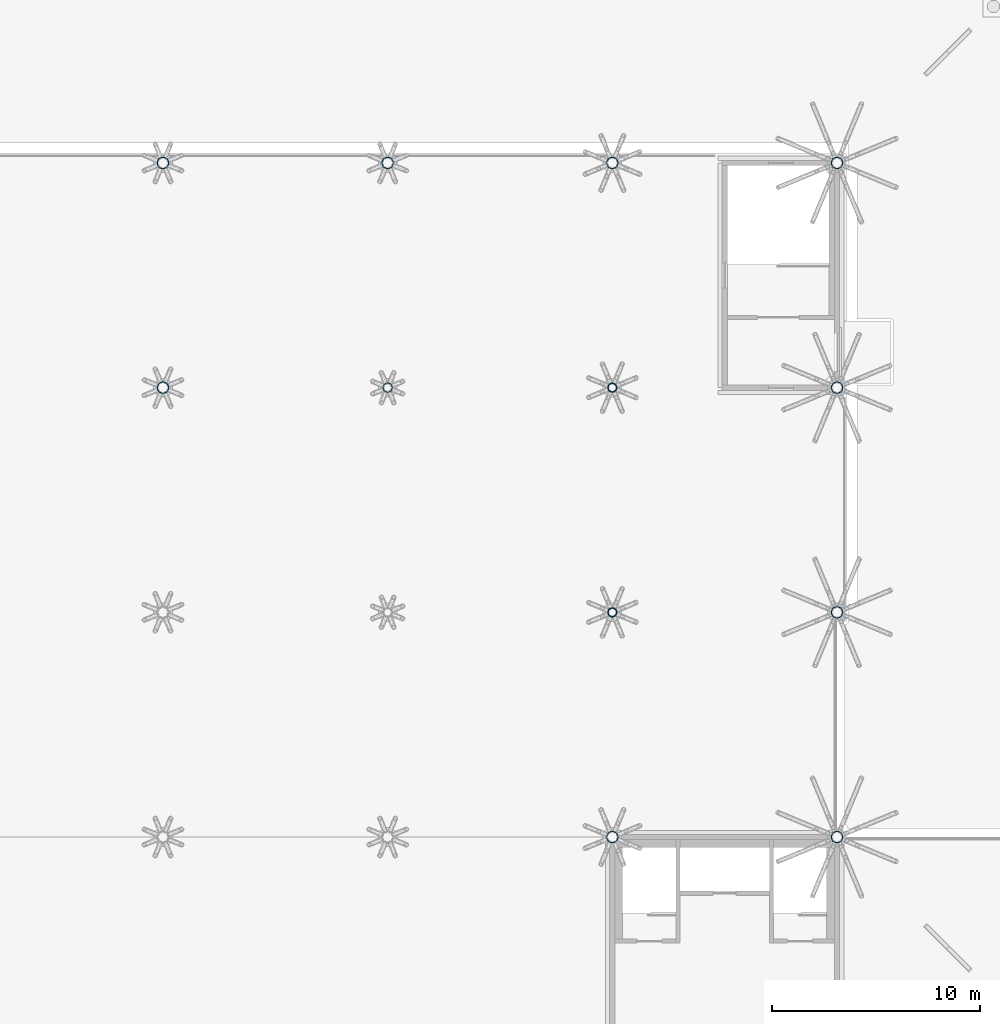
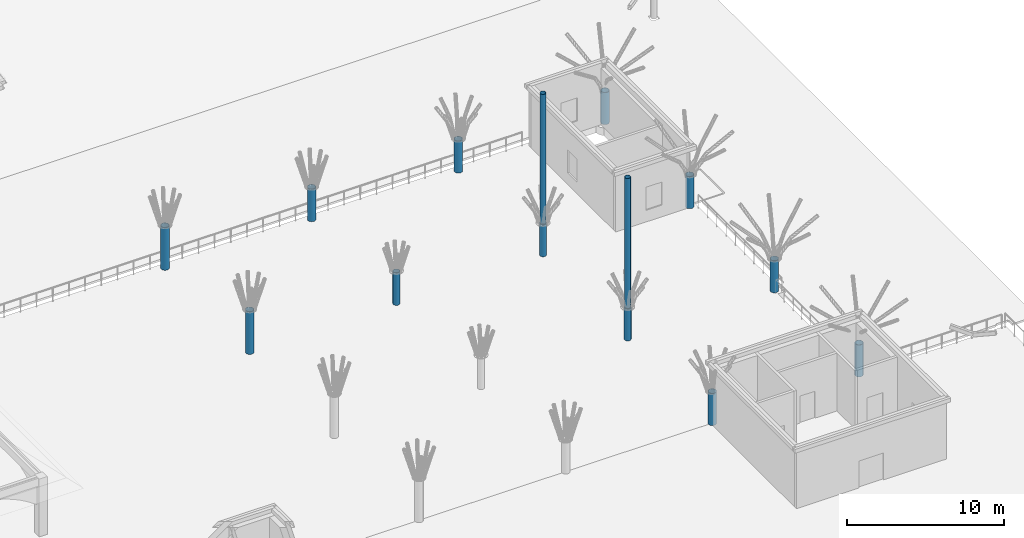
# One storey, part 10 of 91: 14 columns.
"""IFC4 building model written with IfcOpenShell, lengths in metres."""

from ifc_helpers import new_model, si_unit, direction, frame, origin, origin_2d, place, context, subcontext, project, spatial, hollow_circle, extrude, material, material_profile, profile_set, type_object, element, save


model = new_model("IFC4")

# Units and contexts
model_context = context("Model", 3, precision=1e-05, world=origin(), true_north=direction((0.0, 1.0)))
body_context = subcontext(model_context, "Body", "Model", "MODEL_VIEW")
ifc_project = project(units=[si_unit("LENGTHUNIT", "METRE"), si_unit("AREAUNIT", "SQUARE_METRE"), si_unit("VOLUMEUNIT", "CUBIC_METRE"), si_unit("PLANEANGLEUNIT", "RADIAN"), si_unit("MASSUNIT", "GRAM", prefix="KILO")], contexts=[model_context])

# Site, building, storey
site_placement = place(None, origin())
site = spatial("IfcSite", under=ifc_project, at=site_placement, CompositionType="ELEMENT")
building_placement = place(site_placement, origin())
building = spatial("IfcBuilding", under=site, at=building_placement, Name="Magnolia Steps Interchange", CompositionType="ELEMENT")
storey_placement = place(building_placement, origin())
storey = spatial("IfcBuildingStorey", under=building, at=storey_placement, Name="L00", CompositionType="ELEMENT", Elevation=0.0)

# Columns
ifc_material_1 = material(Name="Steel Q355B", Category="steel")
ifc_material_profile_1 = material_profile(ifc_material_1, hollow_circle(Radius=0.202880859375, WallThickness=0.01611328125, at=origin_2d()), Name="CHS406x16")
ifc_profile_set_1 = profile_set([ifc_material_profile_1], Name="Steel Q355B")
column_type_1 = type_object("IfcColumnType", Name="Mast CHS406x16", PredefinedType="COLUMN", material=ifc_profile_set_1)
for number, where, z_axis, x_axis, name in (
    (1, (172.0, 53.199951171875, 2.52001953125), (0.0, 0.0, 1.0), (1.0, 0.0, 0.0), "Mast SP-C-SE"),
    (2, (172.0, 64.0, 2.52001953125), (0.0, 0.0, 1.0), (1.0, 0.0, 0.0), "Mast SP-C-NE"),
):
    element("IfcColumn", number, at=place(storey_placement, frame(where, z_axis=z_axis, x_axis=x_axis)), inside=storey, type_object=column_type_1, Name=name, PredefinedType="COLUMN", context=body_context, shape_type="SweptSolid", body=[
        extrude(hollow_circle(Radius=0.202880859375, WallThickness=0.01611328125, at=origin_2d()), origin(), (0.0, 0.0, 1.0), 10.0986328125),
    ])
ifc_material_2 = material(Name="Steel Q355B", Category="steel")
ifc_material_profile_2 = material_profile(ifc_material_2, hollow_circle(Radius=0.228515625, WallThickness=0.01611328125, at=origin_2d()), Name="CHS457x16")
ifc_profile_set_2 = profile_set([ifc_material_profile_2], Name="Steel Q355B")
column_type_2 = type_object("IfcColumnType", Name="Tree trunk CHS457x16", PredefinedType="COLUMN", material=ifc_profile_set_2)
column_1_placement = place(storey_placement, frame((161.199951171875, 64.0, 0.0), z_axis=(0.0, 0.0, 1.0), x_axis=(1.0, 0.0, 0.0)))
element("IfcColumn", 3, at=column_1_placement, inside=storey, type_object=column_type_2, Name="Tree trunk TC02C", PredefinedType="COLUMN", context=body_context, shape_type="SweptSolid", body=[
    extrude(hollow_circle(Radius=0.228515625, WallThickness=0.01611328125, at=origin_2d()), origin(), (0.0, 0.0, 1.0), 2.53369140625),
])
for number, where, z_axis, x_axis, name in (
    (4, (172.0, 53.199951171875, 0.0), (0.0, 0.0, 1.0), (1.0, 0.0, 0.0), "Tree trunk TC03B"),
    (5, (172.0, 64.0, 0.0), (0.0, 0.0, 1.0), (1.0, 0.0, 0.0), "Tree trunk TC03C"),
):
    element("IfcColumn", number, at=place(storey_placement, frame(where, z_axis=z_axis, x_axis=x_axis)), inside=storey, type_object=column_type_2, Name=name, PredefinedType="COLUMN", context=body_context, shape_type="SweptSolid", body=[
        extrude(hollow_circle(Radius=0.228515625, WallThickness=0.01611328125, at=origin_2d()), origin(), (0.0, 0.0, 1.0), 2.489990234375),
    ])
ifc_material_3 = material(Name="Steel Q355B", Category="steel")
ifc_material_profile_3 = material_profile(ifc_material_3, hollow_circle(Radius=0.279541015625, WallThickness=0.02001953125, at=origin_2d()), Name="CHS559x20")
ifc_profile_set_3 = profile_set([ifc_material_profile_3], Name="Steel Q355B")
column_type_3 = type_object("IfcColumnType", Name="Tree trunk CHS559x20", PredefinedType="COLUMN", material=ifc_profile_set_3)
for number, where, z_axis, x_axis, name in (
    (6, (150.39990234375, 64.0, 0.0), (0.0, 0.0, 1.0), (1.0, 0.0, 0.0), "Tree trunk TC01C"),
    (7, (150.39990234375, 74.800048828125, 0.0), (0.0, 0.0, 1.0), (1.0, 0.0, 0.0), "Tree trunk TC01D"),
):
    element("IfcColumn", number, at=place(storey_placement, frame(where, z_axis=z_axis, x_axis=x_axis)), inside=storey, type_object=column_type_3, Name=name, PredefinedType="COLUMN", context=body_context, shape_type="SweptSolid", body=[
        extrude(hollow_circle(Radius=0.279541015625, WallThickness=0.02001953125, at=origin_2d()), origin(), (0.0, 0.0, 1.0), 3.3212890625),
    ])
column_2_placement = place(storey_placement, frame((161.199951171875, 74.800048828125, 0.0), z_axis=(0.0, 0.0, 1.0), x_axis=(1.0, 0.0, 0.0)))
element("IfcColumn", 8, at=column_2_placement, inside=storey, type_object=column_type_3, Name="Tree trunk TC02D", PredefinedType="COLUMN", context=body_context, shape_type="SweptSolid", body=[
    extrude(hollow_circle(Radius=0.279541015625, WallThickness=0.02001953125, at=origin_2d()), origin(), (0.0, 0.0, 1.0), 2.53369140625),
])
for number, where, z_axis, x_axis, name in (
    (9, (172.0, 42.39990234375, 0.0), (0.0, 0.0, 1.0), (1.0, 0.0, 0.0), "Tree trunk TC03A"),
    (10, (172.0, 74.800048828125, 0.0), (0.0, 0.0, 1.0), (1.0, 0.0, 0.0), "Tree trunk TC03D"),
    (11, (182.800048828125, 42.39990234375, 0.0), (0.0, 0.0, 1.0), (1.0, 0.0, 0.0), "Tree trunk TC04A"),
    (12, (182.800048828125, 53.199951171875, 0.0), (0.0, 0.0, 1.0), (1.0, 0.0, 0.0), "Tree trunk TC04B"),
    (13, (182.800048828125, 64.0, 0.0), (0.0, 0.0, 1.0), (1.0, 0.0, 0.0), "Tree trunk TC04C"),
    (14, (182.800048828125, 74.800048828125, 0.0), (0.0, 0.0, 1.0), (1.0, 0.0, 0.0), "Tree trunk TC04D"),
):
    element("IfcColumn", number, at=place(storey_placement, frame(where, z_axis=z_axis, x_axis=x_axis)), inside=storey, type_object=column_type_3, Name=name, PredefinedType="COLUMN", context=body_context, shape_type="SweptSolid", body=[
        extrude(hollow_circle(Radius=0.279541015625, WallThickness=0.02001953125, at=origin_2d()), origin(), (0.0, 0.0, 1.0), 2.489990234375),
    ])

save(model, "model.ifc")
